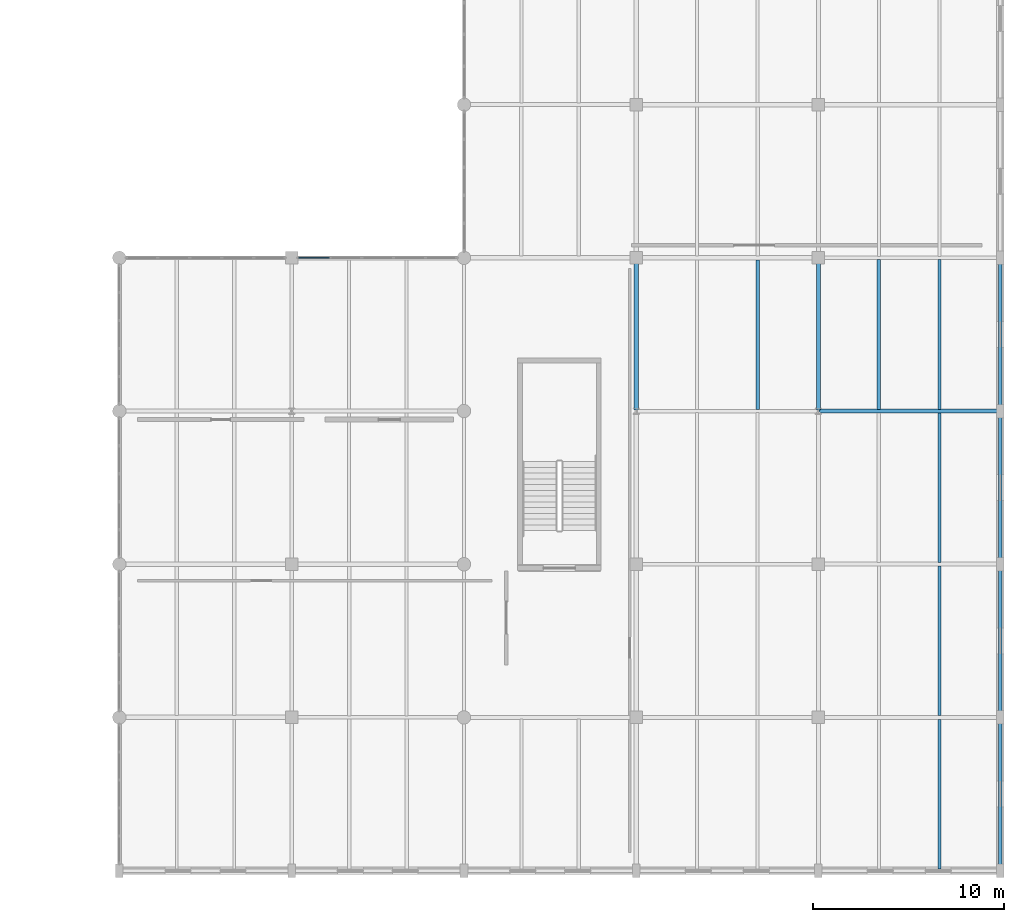
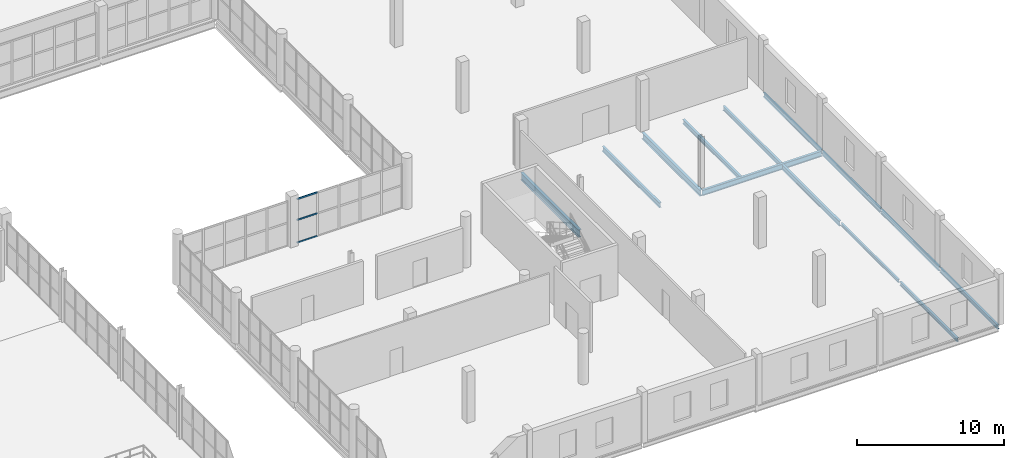
# One storey, part 44 of 85: 13 beams, 3 members, 1 element without a shape of its own.
"""IFC4 building model written with IfcOpenShell, lengths in metres."""

from ifc_helpers import new_model, si_unit, direction, frame, origin, origin_2d, place, context, subcontext, project, spatial, rectangle, i_section, extrude, material, layer, layer_set, material_profile, profile_set, type_object, element, aggregate, save


model = new_model("IFC4")

# Units and contexts
model_context = context("Model", 3, precision=1e-05, world=origin(), true_north=direction((0.0, 1.0)))
body_context = subcontext(model_context, "Body", "Model", "MODEL_VIEW")
ifc_project = project(units=[si_unit("LENGTHUNIT", "METRE"), si_unit("AREAUNIT", "SQUARE_METRE"), si_unit("VOLUMEUNIT", "CUBIC_METRE"), si_unit("PLANEANGLEUNIT", "RADIAN"), si_unit("MASSUNIT", "GRAM", prefix="KILO")], contexts=[model_context])

# Site, building, storey
site_placement = place(None, origin())
site = spatial("IfcSite", under=ifc_project, at=site_placement, CompositionType="ELEMENT")
building_placement = place(site_placement, origin())
building = spatial("IfcBuilding", under=site, at=building_placement, Name="Marnock Terrace Opera House", CompositionType="ELEMENT")
storey_placement = place(building_placement, frame((0.0, 0.0, 10.199951171875)))
storey = spatial("IfcBuildingStorey", under=building, at=storey_placement, Name="L02", CompositionType="ELEMENT", Elevation=10.199951171875)

# Beams
ifc_material_1 = material(Name="Steel Grade 350 (AS/NZS 3679.1)", Category="steel")
ifc_material_profile_1 = material_profile(ifc_material_1, i_section(OverallWidth=0.19091796875, OverallDepth=0.46044921875, WebThickness=0.010009765625, FlangeThickness=0.01611328125, FilletRadius=0.011474609375, at=origin_2d()))
ifc_profile_set_1 = profile_set([ifc_material_profile_1], Name="Steel Grade 350 (AS/NZS 3679.1)")
beam_type_1 = type_object("IfcBeamType", Name="BM-GIRD-460A", PredefinedType="BEAM", material=ifc_profile_set_1)
beam_1_placement = place(storey_placement, frame((154.550048828125, 32.0, -0.490234375), z_axis=(1.0, 0.0, 0.0), x_axis=(0.0, 1.0, 0.0)))
element("IfcBeam", 1, at=beam_1_placement, inside=storey, type_object=beam_type_1, Name="L02 girder (154.5..164.0, Y=32.0)", PredefinedType="BEAM", context=body_context, shape_type="SweptSolid", body=[
    extrude(i_section(OverallWidth=0.19091796875, OverallDepth=0.46044921875, WebThickness=0.010009765625, FlangeThickness=0.01611328125, FilletRadius=0.011474609375, at=origin_2d()), origin(), (0.0, 0.0, 1.0), 9.39990234375),
])
ifc_material_profile_2 = material_profile(ifc_material_1, i_section(OverallWidth=0.208984375, OverallDepth=0.528076171875, WebThickness=0.009521484375, FlangeThickness=0.01318359375, FilletRadius=0.013916015625, at=origin_2d()))
ifc_profile_set_2 = profile_set([ifc_material_profile_2], Name="Steel Grade 350 (AS/NZS 3679.1)")
beam_type_2 = type_object("IfcBeamType", Name="BM-GIRD-530B", PredefinedType="BEAM", material=ifc_profile_set_2)
beam_2_placement = place(storey_placement, frame((154.5, 32.050048828125, -0.52392578125), z_axis=(0.0, 1.0, 0.0), x_axis=(-1.0, 0.0, 0.0)))
element("IfcBeam", 2, at=beam_2_placement, inside=storey, type_object=beam_type_2, Name="L02 girder (X=154.5, 32.0..40.0)", PredefinedType="BEAM", context=body_context, shape_type="SweptSolid", body=[
    extrude(i_section(OverallWidth=0.208984375, OverallDepth=0.528076171875, WebThickness=0.009521484375, FlangeThickness=0.01318359375, FilletRadius=0.013916015625, at=origin_2d()), origin(), (0.0, 0.0, 1.0), 7.89990234375),
])
ifc_material_profile_3 = material_profile(ifc_material_1, i_section(OverallWidth=0.22802734375, OverallDepth=0.60205078125, WebThickness=0.010498046875, FlangeThickness=0.014892578125, FilletRadius=0.013916015625, at=origin_2d()))
ifc_profile_set_3 = profile_set([ifc_material_profile_3], Name="Steel Grade 350 (AS/NZS 3679.1)")
beam_type_3 = type_object("IfcBeamType", Name="BM-GIRD-610C", PredefinedType="BEAM", material=ifc_profile_set_3)
beam_3_placement = place(storey_placement, frame((145.0, 32.050048828125, -0.56103515625), z_axis=(0.0, 1.0, 0.0), x_axis=(-1.0, 0.0, 0.0)))
element("IfcBeam", 3, at=beam_3_placement, inside=storey, type_object=beam_type_3, Name="L02 girder (X=145.0, 32.0..40.0)", PredefinedType="BEAM", context=body_context, shape_type="SweptSolid", body=[
    extrude(i_section(OverallWidth=0.22802734375, OverallDepth=0.60205078125, WebThickness=0.010498046875, FlangeThickness=0.014892578125, FilletRadius=0.013916015625, at=origin_2d()), origin(), (0.0, 0.0, 1.0), 7.89990234375),
])
ifc_material_profile_4 = material_profile(ifc_material_1, i_section(OverallWidth=0.14599609375, OverallDepth=0.256103515625, WebThickness=0.00634765625, FlangeThickness=0.010986328125, FilletRadius=0.0087890625, at=origin_2d()))
ifc_profile_set_4 = profile_set([ifc_material_profile_4], Name="Steel Grade 350 (AS/NZS 3679.1)")
beam_type_4 = type_object("IfcBeamType", Name="BM-JOIST-250", PredefinedType="JOIST", material=ifc_profile_set_4)
beam_4_placement = place(storey_placement, frame((160.833251953125, 16.10888671875, -0.387939453125), z_axis=(0.0, 1.0, 0.0), x_axis=(-1.0, 0.0, 0.0)))
element("IfcBeam", 4, at=beam_4_placement, inside=storey, type_object=beam_type_4, Name="L02 secondary joist 17.2.2", PredefinedType="JOIST", context=body_context, shape_type="SweptSolid", body=[
    extrude(i_section(OverallWidth=0.14599609375, OverallDepth=0.256103515625, WebThickness=0.00634765625, FlangeThickness=0.010986328125, FilletRadius=0.0087890625, at=origin_2d()), origin(), (0.0, 0.0, 1.0), 7.79150390625),
])
ifc_material_profile_5 = material_profile(ifc_material_1, i_section(OverallWidth=0.1650390625, OverallDepth=0.3037109375, WebThickness=0.006103515625, FlangeThickness=0.01025390625, FilletRadius=0.011474609375, at=origin_2d()))
ifc_profile_set_5 = profile_set([ifc_material_profile_5], Name="Steel Grade 350 (AS/NZS 3679.1)")
beam_type_5 = type_object("IfcBeamType", Name="BM-JOIST-310B", PredefinedType="JOIST", material=ifc_profile_set_5)
beam_5_placement = place(storey_placement, frame((160.833251953125, 8.090576171875, -0.411865234375), z_axis=(0.0, 1.0, 0.0), x_axis=(-1.0, 0.0, 0.0)))
element("IfcBeam", 5, at=beam_5_placement, inside=storey, type_object=beam_type_5, Name="L02 secondary joist 17.1.2", PredefinedType="JOIST", context=body_context, shape_type="SweptSolid", body=[
    extrude(i_section(OverallWidth=0.1650390625, OverallDepth=0.3037109375, WebThickness=0.006103515625, FlangeThickness=0.01025390625, FilletRadius=0.011474609375, at=origin_2d()), origin(), (0.0, 0.0, 1.0), 7.800537109375),
])
ifc_material_profile_6 = material_profile(ifc_material_1, i_section(OverallWidth=0.172119140625, OverallDepth=0.358642578125, WebThickness=0.008056640625, FlangeThickness=0.012939453125, FilletRadius=0.011474609375, at=origin_2d()))
ifc_profile_set_6 = profile_set([ifc_material_profile_6], Name="Steel Grade 350 (AS/NZS 3679.1)")
beam_type_6 = type_object("IfcBeamType", Name="BM-JOIST-360", PredefinedType="JOIST", material=ifc_profile_set_6)
for number, where, z_axis, x_axis, name in (
    (6, (157.666748046875, 32.090576171875, -0.439208984375), (0.0, 1.0, 0.0), (-1.0, 0.0, 0.0), "L02 secondary joist 17.4.1"),
    (7, (160.833251953125, 32.090576171875, -0.439208984375), (0.0, 1.0, 0.0), (-1.0, 0.0, 0.0), "L02 secondary joist 17.4.2"),
):
    element("IfcBeam", number, at=place(storey_placement, frame(where, z_axis=z_axis, x_axis=x_axis)), inside=storey, type_object=beam_type_6, Name=name, PredefinedType="JOIST", context=body_context, shape_type="SweptSolid", body=[
        extrude(i_section(OverallWidth=0.172119140625, OverallDepth=0.358642578125, WebThickness=0.008056640625, FlangeThickness=0.012939453125, FilletRadius=0.011474609375, at=origin_2d()), origin(), (0.0, 0.0, 1.0), 7.825439453125),
    ])
ifc_material_profile_7 = material_profile(ifc_material_1, i_section(OverallWidth=0.177978515625, OverallDepth=0.406494140625, WebThickness=0.0078125, FlangeThickness=0.0126953125, FilletRadius=0.011474609375, at=origin_2d()))
ifc_profile_set_7 = profile_set([ifc_material_profile_7], Name="Steel Grade 350 (AS/NZS 3679.1)")
beam_type_7 = type_object("IfcBeamType", Name="BM-JOIST-410", PredefinedType="JOIST", material=ifc_profile_set_7)
beam_6_placement = place(storey_placement, frame((151.333251953125, 32.083984375, -0.463134765625), z_axis=(0.0, 1.0, 0.0), x_axis=(-1.0, 0.0, 0.0)))
element("IfcBeam", 8, at=beam_6_placement, inside=storey, type_object=beam_type_7, Name="L02 secondary joist 16.4.2", PredefinedType="JOIST", context=body_context, shape_type="SweptSolid", body=[
    extrude(i_section(OverallWidth=0.177978515625, OverallDepth=0.406494140625, WebThickness=0.0078125, FlangeThickness=0.0126953125, FilletRadius=0.011474609375, at=origin_2d()), origin(), (0.0, 0.0, 1.0), 7.806396484375),
])
beam_7_placement = place(storey_placement, frame((160.833251953125, 24.099609375, -0.463134765625), z_axis=(0.0, 1.0, 0.0), x_axis=(-1.0, 0.0, 0.0)))
element("IfcBeam", 9, at=beam_7_placement, inside=storey, type_object=beam_type_7, Name="L02 secondary joist 17.3.2", PredefinedType="JOIST", context=body_context, shape_type="SweptSolid", body=[
    extrude(i_section(OverallWidth=0.177978515625, OverallDepth=0.406494140625, WebThickness=0.0078125, FlangeThickness=0.0126953125, FilletRadius=0.011474609375, at=origin_2d()), origin(), (0.0, 0.0, 1.0), 7.809814453125),
])
ifc_material_profile_8 = material_profile(ifc_material_1, i_section(OverallWidth=0.172119140625, OverallDepth=0.358642578125, WebThickness=0.008056640625, FlangeThickness=0.012939453125, FilletRadius=0.011474609375, at=origin_2d()))
ifc_profile_set_8 = profile_set([ifc_material_profile_8], Name="Steel Grade 350 (AS/NZS 3679.1)")
beam_type_8 = type_object("IfcBeamType", Name="BM-SPAN-360", PredefinedType="SPANDREL", material=ifc_profile_set_8)
for number, where, z_axis, x_axis, name in (
    (10, (164.0, 8.050048828125, -0.439208984375), (0.0, 1.0, 0.0), (-1.0, 0.0, 0.0), "L02 girder (X=164.0, 8.0..16.0)"),
    (11, (164.0, 16.050048828125, -0.439208984375), (0.0, 1.0, 0.0), (-1.0, 0.0, 0.0), "L02 girder (X=164.0, 16.0..24.0)"),
    (12, (164.0, 24.050048828125, -0.439208984375), (0.0, 1.0, 0.0), (-1.0, 0.0, 0.0), "L02 girder (X=164.0, 24.0..32.0)"),
    (13, (164.0, 32.050048828125, -0.439208984375), (0.0, 1.0, 0.0), (-1.0, 0.0, 0.0), "L02 girder (X=164.0, 32.0..40.0)"),
):
    element("IfcBeam", number, at=place(storey_placement, frame(where, z_axis=z_axis, x_axis=x_axis)), inside=storey, type_object=beam_type_8, Name=name, PredefinedType="SPANDREL", context=body_context, shape_type="SweptSolid", body=[
        extrude(i_section(OverallWidth=0.172119140625, OverallDepth=0.358642578125, WebThickness=0.008056640625, FlangeThickness=0.012939453125, FilletRadius=0.011474609375, at=origin_2d()), origin(), (0.0, 0.0, 1.0), 7.89990234375),
    ])

# Curtain wall, members
ifc_material_2 = material(Name="Anodised architectural bronze aluminium framing", Category="aluminium")
ifc_layer = layer(ifc_material_2, 0.159912109375)
ifc_layer_set = layer_set([ifc_layer], Name="Anodised architectural bronze aluminium framing")
curtain_wall_type = type_object("IfcCurtainWallType", Name="CW-LOGGIA-86x42", PredefinedType="NOTDEFINED", material=ifc_layer_set)
curtain_wall_placement = place(storey_placement, origin())
curtain_wall = element("IfcCurtainWall", 14, at=curtain_wall_placement, inside=storey, type_object=curtain_wall_type, Name="L02 glazed Beaux-Arts colonnade curtain wall CW-V5-L02-CS2", PredefinedType="NOTDEFINED")
ifc_material_profile_9 = material_profile(ifc_material_2, rectangle(XDim=0.06005859375, YDim=0.1298828125, at=origin_2d()))
ifc_profile_set_9 = profile_set([ifc_material_profile_9], Name="Anodised architectural bronze aluminium framing")
member_type = type_object("IfcMemberType", Name="CWT-60x130", PredefinedType="USERDEFINED", material=ifc_profile_set_9)
member_1_placement = place(storey_placement, frame((127.381103515625, 40.0, 0.030029296875), z_axis=(1.0, 0.0, 0.0), x_axis=(0.0, 1.0, 0.0)))
member_1 = element("IfcMember", 15, at=member_1_placement, type_object=member_type, Name="CW-66 transom 1.1", ObjectType="TRANSOM", PredefinedType="USERDEFINED", context=body_context, shape_type="SweptSolid", body=[
    extrude(rectangle(XDim=0.06005859375, YDim=0.1298828125, at=origin_2d()), origin(), (0.0, 0.0, 1.0), 1.576416015625),
])
member_2_placement = place(storey_placement, frame((127.381103515625, 40.0, 1.912109375), z_axis=(1.0, 0.0, 0.0), x_axis=(0.0, 1.0, 0.0)))
member_2 = element("IfcMember", 16, at=member_2_placement, type_object=member_type, Name="CW-66 transom 1.2", ObjectType="TRANSOM", PredefinedType="USERDEFINED", context=body_context, shape_type="SweptSolid", body=[
    extrude(rectangle(XDim=0.06005859375, YDim=0.1298828125, at=origin_2d()), origin(), (0.0, 0.0, 1.0), 1.576416015625),
])
member_3_placement = place(storey_placement, frame((127.381103515625, 40.0, 3.64697265625), z_axis=(1.0, 0.0, 0.0), x_axis=(0.0, 1.0, 0.0)))
member_3 = element("IfcMember", 17, at=member_3_placement, type_object=member_type, Name="CW-66 transom 1.3", ObjectType="TRANSOM", PredefinedType="USERDEFINED", context=body_context, shape_type="SweptSolid", body=[
    extrude(rectangle(XDim=0.06005859375, YDim=0.1298828125, at=origin_2d()), origin(), (0.0, 0.0, 1.0), 1.576416015625),
])
aggregate(curtain_wall, [member_1, member_2, member_3])

save(model, "model.ifc")
